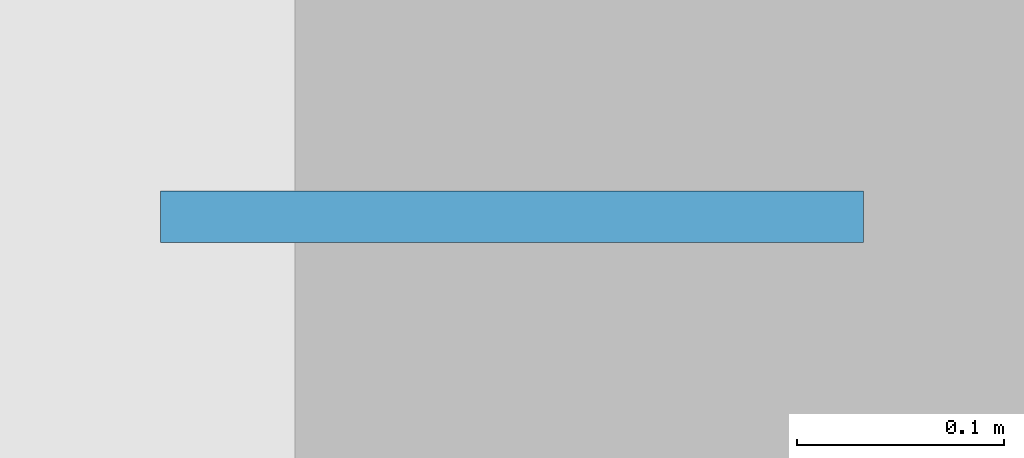
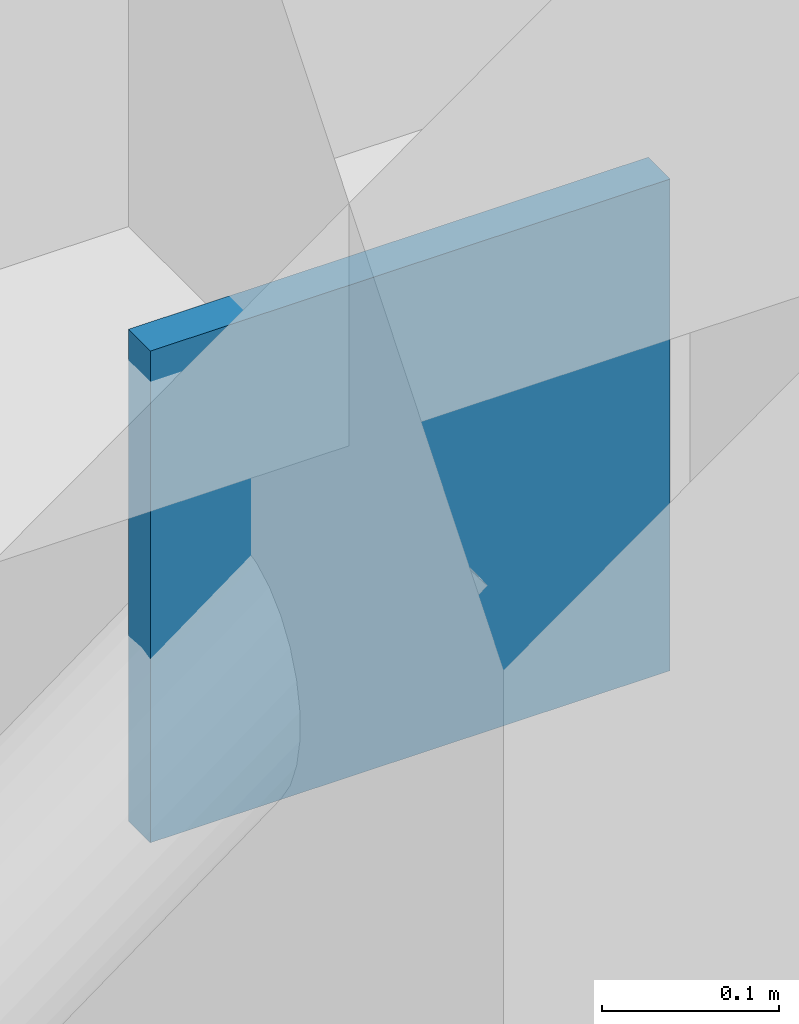
# One storey, part 123 of 163: 1 plate.
"""IFC4 building model written with IfcOpenShell, lengths in metres."""

from ifc_helpers import new_model, si_unit, direction, frame, origin, origin_2d, place, context, subcontext, project, spatial, rectangle, extrude, material, layer, layer_set, type_object, element, save


model = new_model("IFC4")

# Units and contexts
model_context = context("Model", 3, precision=1e-05, world=origin(), true_north=direction((0.0, 1.0)))
body_context = subcontext(model_context, "Body", "Model", "MODEL_VIEW")
ifc_project = project(units=[si_unit("LENGTHUNIT", "METRE"), si_unit("AREAUNIT", "SQUARE_METRE"), si_unit("VOLUMEUNIT", "CUBIC_METRE"), si_unit("PLANEANGLEUNIT", "RADIAN"), si_unit("MASSUNIT", "GRAM", prefix="KILO")], contexts=[model_context])

# Site, building, storey
site_placement = place(None, origin())
site = spatial("IfcSite", under=ifc_project, at=site_placement, CompositionType="ELEMENT")
building_placement = place(site_placement, origin())
building = spatial("IfcBuilding", under=site, at=building_placement, Name="Varnabhumi Central Station", CompositionType="ELEMENT")
storey_placement = place(building_placement, frame((0.0, 0.0, 9.60009765625)))
storey = spatial("IfcBuildingStorey", under=building, at=storey_placement, Name="L02", CompositionType="ELEMENT", Elevation=9.60009765625)

# Plate
ifc_material = material(Name="Structural steel E350", Category="steel")
ifc_layer = layer(ifc_material, 0.031982421875, Name="Structural steel E350", Category="steel")
ifc_layer_set = layer_set([ifc_layer], Name="Structural steel E350")
plate_type = type_object("IfcPlateType", Name="PLT-GUSSET-A", PredefinedType="USERDEFINED", material=ifc_layer_set)
plate_placement = place(storey_placement, frame((119.679931640625, 0.0, 5.52978515625), z_axis=(0.0, 0.0, 1.0), x_axis=(1.0, 0.0, 0.0)))
element("IfcPlate", 1, at=plate_placement, inside=storey, type_object=plate_type, Name="Lateral Brace End Gusset WB-8-T", ObjectType="GUSSET PLATE", PredefinedType="USERDEFINED", context=body_context, shape_type="SweptSolid", body=[
    extrude(rectangle(XDim=0.340087890625, YDim=0.02490234375, at=origin_2d()), origin(), (0.0, 0.0, 1.0), 0.340087890625),
])

save(model, "model.ifc")
